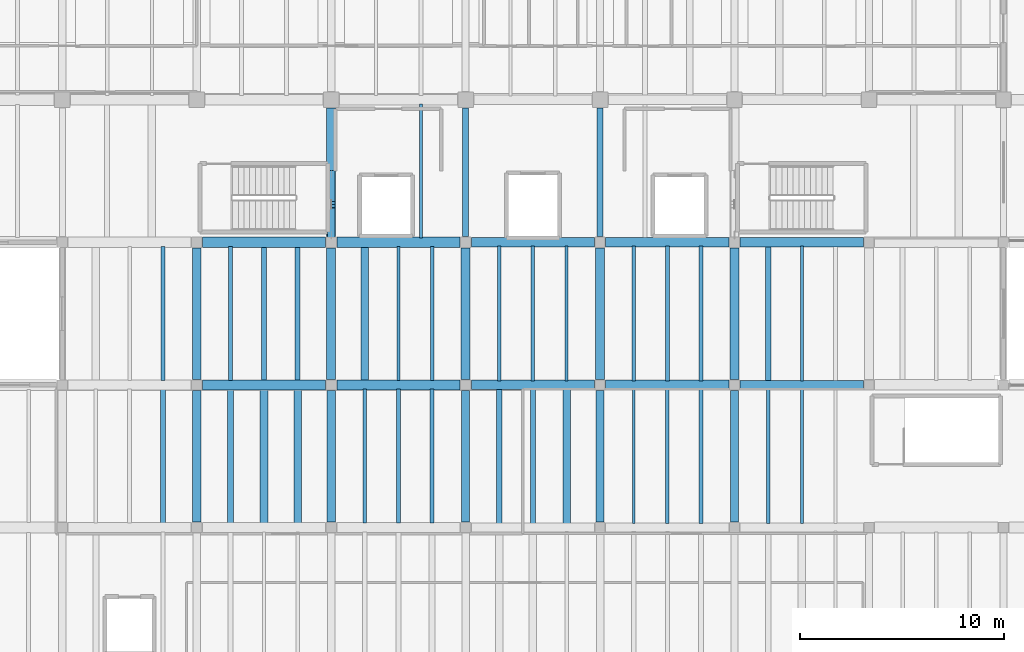
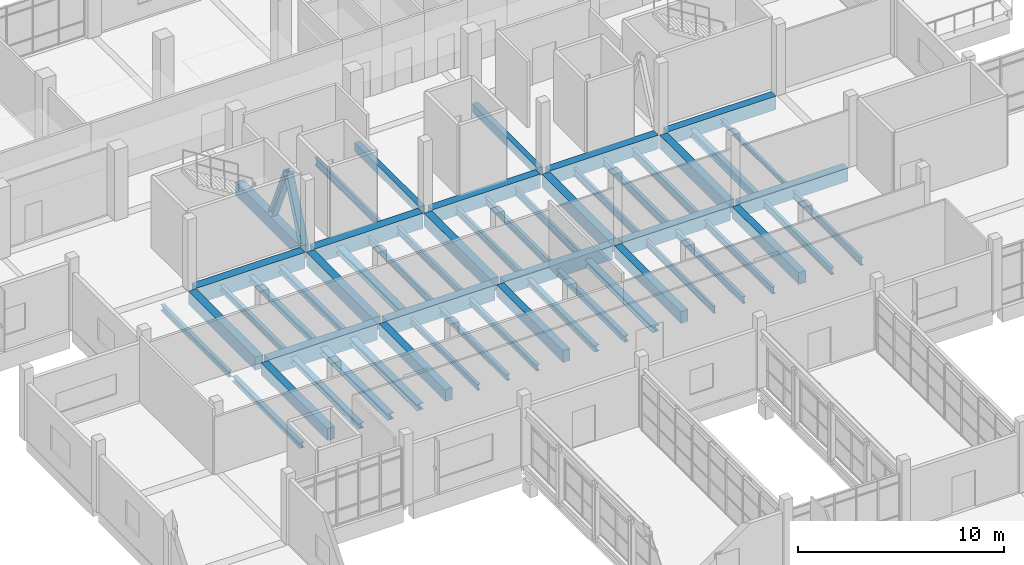
# One storey, part 28 of 65: 54 beams, 2 members.
"""IFC4 building model written with IfcOpenShell, lengths in metres."""

from ifc_helpers import new_model, si_unit, direction, frame, origin, origin_2d, place, context, subcontext, project, spatial, rectangle, i_section, extrude, material, material_profile, profile_set, type_object, element, save


model = new_model("IFC4")

# Units and contexts
model_context = context("Model", 3, precision=1e-05, world=origin(), true_north=direction((0.0, 1.0)))
body_context = subcontext(model_context, "Body", "Model", "MODEL_VIEW")
ifc_project = project(units=[si_unit("LENGTHUNIT", "METRE"), si_unit("AREAUNIT", "SQUARE_METRE"), si_unit("VOLUMEUNIT", "CUBIC_METRE"), si_unit("PLANEANGLEUNIT", "RADIAN"), si_unit("MASSUNIT", "GRAM", prefix="KILO")], contexts=[model_context])

# Site, building, storey
site_placement = place(None, origin())
site = spatial("IfcSite", under=ifc_project, at=site_placement, CompositionType="ELEMENT")
building_placement = place(site_placement, origin())
building = spatial("IfcBuilding", under=site, at=building_placement, Name="Ciguamira Faculty of Natural Sciences", CompositionType="ELEMENT")
storey_placement = place(building_placement, frame((0.0, 0.0, 12.60009765625)))
storey = spatial("IfcBuildingStorey", under=building, at=storey_placement, Name="L03", CompositionType="ELEMENT", Elevation=12.60009765625)

# Beams
ifc_material_1 = material(Name="Concrete C40/50", Category="concrete")
ifc_material_profile_1 = material_profile(ifc_material_1, rectangle(XDim=0.5, YDim=0.949951171875, at=origin_2d()), Name="RC-BM-500X950")
ifc_profile_set_1 = profile_set([ifc_material_profile_1], Name="Concrete C40/50")
beam_type_1 = type_object("IfcBeamType", Name="RCBeam_BG-02_RC-BM-500X950", PredefinedType="BEAM", material=ifc_profile_set_1)
for number, where, z_axis, x_axis, name in (
    (1, (70.77490234375, 87.0, -0.47509765625), (1.0, 0.0, 0.0), (0.0, 1.0, 0.0), "L03 RC girder EW-1140"),
    (2, (70.77490234375, 94.0, -0.47509765625), (1.0, 0.0, 0.0), (0.0, 1.0, 0.0), "L03 RC girder EW-1149"),
):
    element("IfcBeam", number, at=place(storey_placement, frame(where, z_axis=z_axis, x_axis=x_axis)), inside=storey, type_object=beam_type_1, Name=name, PredefinedType="BEAM", context=body_context, shape_type="SweptSolid", body=[
        extrude(rectangle(XDim=0.5, YDim=0.949951171875, at=origin_2d()), origin(), (0.0, 0.0, 1.0), 6.050048828125),
    ])
ifc_material_profile_2 = material_profile(ifc_material_1, rectangle(XDim=0.5, YDim=0.89990234375, at=origin_2d()), Name="RC-BM-500X900")
ifc_profile_set_2 = profile_set([ifc_material_profile_2], Name="Concrete C40/50")
beam_type_2 = type_object("IfcBeamType", Name="RCBeam_BG-03_RC-BM-500X900", PredefinedType="BEAM", material=ifc_profile_set_2)
for number, where, z_axis, x_axis, name in (
    (3, (77.375, 87.0, -0.4501953125), (1.0, 0.0, 0.0), (0.0, 1.0, 0.0), "L03 RC girder EW-1141"),
    (4, (77.375, 94.0, -0.4501953125), (1.0, 0.0, 0.0), (0.0, 1.0, 0.0), "L03 RC girder EW-1150"),
):
    element("IfcBeam", number, at=place(storey_placement, frame(where, z_axis=z_axis, x_axis=x_axis)), inside=storey, type_object=beam_type_2, Name=name, PredefinedType="BEAM", context=body_context, shape_type="SweptSolid", body=[
        extrude(rectangle(XDim=0.5, YDim=0.89990234375, at=origin_2d()), origin(), (0.0, 0.0, 1.0), 6.050048828125),
    ])
ifc_material_profile_3 = material_profile(ifc_material_1, rectangle(XDim=0.4599609375, YDim=0.820068359375, at=origin_2d()), Name="RC-BM-460X820")
ifc_profile_set_3 = profile_set([ifc_material_profile_3], Name="Concrete C40/50")
beam_type_3 = type_object("IfcBeamType", Name="RCBeam_BG-04_RC-BM-460X820", PredefinedType="BEAM", material=ifc_profile_set_3)
beam_1_placement = place(storey_placement, frame((83.97509765625, 87.0, -0.41015625), z_axis=(1.0, 0.0, 0.0), x_axis=(0.0, 1.0, 0.0)))
element("IfcBeam", 5, at=beam_1_placement, inside=storey, type_object=beam_type_3, Name="L03 RC girder EW-1142", PredefinedType="BEAM", context=body_context, shape_type="SweptSolid", body=[
    extrude(rectangle(XDim=0.4599609375, YDim=0.820068359375, at=origin_2d()), origin(), (0.0, 0.0, 1.0), 6.0498046875),
])
beam_2_placement = place(storey_placement, frame((90.574951171875, 87.0, -0.41015625), z_axis=(1.0, 0.0, 0.0), x_axis=(0.0, 1.0, 0.0)))
element("IfcBeam", 6, at=beam_2_placement, inside=storey, type_object=beam_type_3, Name="L03 RC girder EW-1143", PredefinedType="BEAM", context=body_context, shape_type="SweptSolid", body=[
    extrude(rectangle(XDim=0.4599609375, YDim=0.820068359375, at=origin_2d()), origin(), (0.0, 0.0, 1.0), 6.050048828125),
])
beam_3_placement = place(storey_placement, frame((83.97509765625, 94.0, -0.41015625), z_axis=(1.0, 0.0, 0.0), x_axis=(0.0, 1.0, 0.0)))
element("IfcBeam", 7, at=beam_3_placement, inside=storey, type_object=beam_type_3, Name="L03 RC girder EW-1151", PredefinedType="BEAM", context=body_context, shape_type="SweptSolid", body=[
    extrude(rectangle(XDim=0.4599609375, YDim=0.820068359375, at=origin_2d()), origin(), (0.0, 0.0, 1.0), 6.0498046875),
])
beam_4_placement = place(storey_placement, frame((90.574951171875, 94.0, -0.41015625), z_axis=(1.0, 0.0, 0.0), x_axis=(0.0, 1.0, 0.0)))
element("IfcBeam", 8, at=beam_4_placement, inside=storey, type_object=beam_type_3, Name="L03 RC girder EW-1152", PredefinedType="BEAM", context=body_context, shape_type="SweptSolid", body=[
    extrude(rectangle(XDim=0.4599609375, YDim=0.820068359375, at=origin_2d()), origin(), (0.0, 0.0, 1.0), 6.050048828125),
])
ifc_material_profile_4 = material_profile(ifc_material_1, rectangle(XDim=0.449951171875, YDim=0.800048828125, at=origin_2d()), Name="RC-BM-450X800")
ifc_profile_set_4 = profile_set([ifc_material_profile_4], Name="Concrete C40/50")
beam_type_4 = type_object("IfcBeamType", Name="RCBeam_BG-05_RC-BM-450X800", PredefinedType="BEAM", material=ifc_profile_set_4)
for number, where, z_axis, x_axis, name in (
    (9, (97.175048828125, 87.0, -0.400146484375), (1.0, 0.0, 0.0), (0.0, 1.0, 0.0), "L03 RC girder EW-1144"),
    (10, (97.175048828125, 94.0, -0.400146484375), (1.0, 0.0, 0.0), (0.0, 1.0, 0.0), "L03 RC girder EW-1153"),
):
    element("IfcBeam", number, at=place(storey_placement, frame(where, z_axis=z_axis, x_axis=x_axis)), inside=storey, type_object=beam_type_4, Name=name, PredefinedType="BEAM", context=body_context, shape_type="SweptSolid", body=[
        extrude(rectangle(XDim=0.449951171875, YDim=0.800048828125, at=origin_2d()), origin(), (0.0, 0.0, 1.0), 6.050048828125),
    ])
ifc_material_profile_5 = material_profile(ifc_material_1, rectangle(XDim=0.43994140625, YDim=0.780029296875, at=origin_2d()), Name="RC-BM-440X780")
ifc_profile_set_5 = profile_set([ifc_material_profile_5], Name="Concrete C40/50")
beam_type_5 = type_object("IfcBeamType", Name="RCBeam_BG-06_RC-BM-440X780", PredefinedType="BEAM", material=ifc_profile_set_5)
for number, where, z_axis, x_axis, name in (
    (11, (70.5, 87.27490234375, -0.39013671875), (0.0, 1.0, 0.0), (-1.0, 0.0, 0.0), "L03 girder NS-1238"),
    (12, (77.10009765625, 87.27490234375, -0.39013671875), (0.0, 1.0, 0.0), (-1.0, 0.0, 0.0), "L03 girder NS-1248"),
    (13, (83.699951171875, 87.27490234375, -0.39013671875), (0.0, 1.0, 0.0), (-1.0, 0.0, 0.0), "L03 girder NS-1258"),
    (14, (90.300048828125, 87.27490234375, -0.39013671875), (0.0, 1.0, 0.0), (-1.0, 0.0, 0.0), "L03 girder NS-1269"),
    (15, (96.89990234375, 87.27490234375, -0.39013671875), (0.0, 1.0, 0.0), (-1.0, 0.0, 0.0), "L03 girder NS-1280"),
):
    element("IfcBeam", number, at=place(storey_placement, frame(where, z_axis=z_axis, x_axis=x_axis)), inside=storey, type_object=beam_type_5, Name=name, PredefinedType="BEAM", context=body_context, shape_type="SweptSolid", body=[
        extrude(rectangle(XDim=0.43994140625, YDim=0.780029296875, at=origin_2d()), origin(), (0.0, 0.0, 1.0), 6.4501953125),
    ])
beam_5_placement = place(storey_placement, frame((77.10009765625, 94.27490234375, -0.39013671875), z_axis=(0.0, 1.0, 0.0), x_axis=(-1.0, 0.0, 0.0)))
element("IfcBeam", 16, at=beam_5_placement, inside=storey, type_object=beam_type_5, Name="L03 core-end brace tie girder 77", PredefinedType="BEAM", context=body_context, shape_type="SweptSolid", body=[
    extrude(rectangle(XDim=0.43994140625, YDim=0.780029296875, at=origin_2d()), origin(), (0.0, 0.0, 1.0), 6.3251953125),
])
ifc_material_profile_6 = material_profile(ifc_material_1, rectangle(XDim=0.39990234375, YDim=0.699951171875, at=origin_2d()), Name="RC-BM-400X700")
ifc_profile_set_6 = profile_set([ifc_material_profile_6], Name="Concrete C40/50")
beam_type_6 = type_object("IfcBeamType", Name="RCBeam_BG-08_RC-BM-400X700", PredefinedType="BEAM", material=ifc_profile_set_6)
for number, where, z_axis, x_axis, name in (
    (17, (70.5, 80.27490234375, -0.35009765625), (0.0, 1.0, 0.0), (-1.0, 0.0, 0.0), "L03 girder NS-1237"),
    (18, (77.10009765625, 80.27490234375, -0.35009765625), (0.0, 1.0, 0.0), (-1.0, 0.0, 0.0), "L03 girder NS-1247"),
    (19, (83.699951171875, 80.27490234375, -0.35009765625), (0.0, 1.0, 0.0), (-1.0, 0.0, 0.0), "L03 girder NS-1257"),
    (20, (90.300048828125, 80.27490234375, -0.35009765625), (0.0, 1.0, 0.0), (-1.0, 0.0, 0.0), "L03 girder NS-1268"),
    (21, (96.89990234375, 80.27490234375, -0.35009765625), (0.0, 1.0, 0.0), (-1.0, 0.0, 0.0), "L03 girder NS-1279"),
):
    element("IfcBeam", number, at=place(storey_placement, frame(where, z_axis=z_axis, x_axis=x_axis)), inside=storey, type_object=beam_type_6, Name=name, PredefinedType="BEAM", context=body_context, shape_type="SweptSolid", body=[
        extrude(rectangle(XDim=0.39990234375, YDim=0.699951171875, at=origin_2d()), origin(), (0.0, 0.0, 1.0), 6.4501953125),
    ])
ifc_material_profile_7 = material_profile(ifc_material_1, rectangle(XDim=0.300048828125, YDim=0.52001953125, at=origin_2d()), Name="RC-BM-300X520")
ifc_profile_set_7 = profile_set([ifc_material_profile_7], Name="Concrete C40/50")
beam_type_7 = type_object("IfcBeamType", Name="RCBeam_BG-13_RC-BM-300X520", PredefinedType="BEAM", material=ifc_profile_set_7)
for number, where, z_axis, x_axis, name in (
    (22, (83.699951171875, 94.27490234375, -0.260009765625), (0.0, 1.0, 0.0), (-1.0, 0.0, 0.0), "L03 girder NS-1259"),
    (23, (90.300048828125, 94.27490234375, -0.260009765625), (0.0, 1.0, 0.0), (-1.0, 0.0, 0.0), "L03 girder NS-1270"),
):
    element("IfcBeam", number, at=place(storey_placement, frame(where, z_axis=z_axis, x_axis=x_axis)), inside=storey, type_object=beam_type_7, Name=name, PredefinedType="BEAM", context=body_context, shape_type="SweptSolid", body=[
        extrude(rectangle(XDim=0.300048828125, YDim=0.52001953125, at=origin_2d()), origin(), (0.0, 0.0, 1.0), 6.3251953125),
    ])
ifc_material_2 = material(Name="Steel ASTM A992 Grade 50", Category="steel")
ifc_material_profile_8 = material_profile(ifc_material_2, i_section(OverallWidth=0.14599609375, OverallDepth=0.259033203125, WebThickness=0.006103515625, FlangeThickness=0.009033203125, at=origin_2d()), Name="W10X22")
ifc_profile_set_8 = profile_set([ifc_material_profile_8], Name="Steel ASTM A992 Grade 50")
beam_type_8 = type_object("IfcBeamType", Name="SteelJoist_SJ-01_W10X22", PredefinedType="JOIST", material=ifc_profile_set_8)
beam_6_placement = place(storey_placement, frame((100.199951171875, 87.18505859375, -0.40966796875), z_axis=(0.0, 1.0, 0.0), x_axis=(-1.0, 0.0, 0.0)))
element("IfcBeam", 24, at=beam_6_placement, inside=storey, type_object=beam_type_8, Name="L03 composite steel joist 01198", PredefinedType="JOIST", context=body_context, shape_type="SweptSolid", body=[
    extrude(i_section(OverallWidth=0.14599609375, OverallDepth=0.259033203125, WebThickness=0.006103515625, FlangeThickness=0.009033203125, at=origin_2d()), origin(), (0.0, 0.0, 1.0), 6.6298828125),
])
ifc_material_profile_9 = material_profile(ifc_material_2, i_section(OverallWidth=0.25390625, OverallDepth=0.307373046875, WebThickness=0.0087890625, FlangeThickness=0.0146484375, at=origin_2d()), Name="W12X53")
ifc_profile_set_9 = profile_set([ifc_material_profile_9], Name="Steel ASTM A992 Grade 50")
beam_type_9 = type_object("IfcBeamType", Name="SteelJoist_SJ-07_W12X53", PredefinedType="JOIST", material=ifc_profile_set_9)
beam_7_placement = place(storey_placement, frame((68.85009765625, 80.2099609375, -0.433837890625), z_axis=(0.0, 1.0, 0.0), x_axis=(-1.0, 0.0, 0.0)))
element("IfcBeam", 25, at=beam_7_placement, inside=storey, type_object=beam_type_9, Name="L03 composite steel joist 01067", PredefinedType="JOIST", context=body_context, shape_type="SweptSolid", body=[
    extrude(i_section(OverallWidth=0.25390625, OverallDepth=0.307373046875, WebThickness=0.0087890625, FlangeThickness=0.0146484375, at=origin_2d()), origin(), (0.0, 0.0, 1.0), 6.580078125),
])
ifc_material_profile_10 = material_profile(ifc_material_2, i_section(OverallWidth=0.3046875, OverallDepth=0.307373046875, WebThickness=0.010009765625, FlangeThickness=0.015380859375, at=origin_2d()), Name="W12X65")
ifc_profile_set_10 = profile_set([ifc_material_profile_10], Name="Steel ASTM A992 Grade 50")
beam_type_10 = type_object("IfcBeamType", Name="SteelJoist_SJ-08_W12X65", PredefinedType="JOIST", material=ifc_profile_set_10)
beam_8_placement = place(storey_placement, frame((72.14990234375, 80.2099609375, -0.433837890625), z_axis=(0.0, 1.0, 0.0), x_axis=(-1.0, 0.0, 0.0)))
element("IfcBeam", 26, at=beam_8_placement, inside=storey, type_object=beam_type_10, Name="L03 composite steel joist 01092", PredefinedType="JOIST", context=body_context, shape_type="SweptSolid", body=[
    extrude(i_section(OverallWidth=0.3046875, OverallDepth=0.307373046875, WebThickness=0.010009765625, FlangeThickness=0.015380859375, at=origin_2d()), origin(), (0.0, 0.0, 1.0), 6.580078125),
])
ifc_material_profile_11 = material_profile(ifc_material_2, i_section(OverallWidth=0.370849609375, OverallDepth=0.36328125, WebThickness=0.013427734375, FlangeThickness=0.021728515625, at=origin_2d()), Name="W14X109")
ifc_profile_set_11 = profile_set([ifc_material_profile_11], Name="Steel ASTM A992 Grade 50")
beam_type_11 = type_object("IfcBeamType", Name="SteelJoist_SJ-09_W14X109", PredefinedType="JOIST", material=ifc_profile_set_11)
beam_9_placement = place(storey_placement, frame((73.800048828125, 80.2099609375, -0.461669921875), z_axis=(0.0, 1.0, 0.0), x_axis=(-1.0, 0.0, 0.0)))
element("IfcBeam", 27, at=beam_9_placement, inside=storey, type_object=beam_type_11, Name="L03 composite steel joist 01093", PredefinedType="JOIST", context=body_context, shape_type="SweptSolid", body=[
    extrude(i_section(OverallWidth=0.370849609375, OverallDepth=0.36328125, WebThickness=0.013427734375, FlangeThickness=0.021728515625, at=origin_2d()), origin(), (0.0, 0.0, 1.0), 6.580078125),
])
ifc_material_profile_12 = material_profile(ifc_material_2, i_section(OverallWidth=0.373291015625, OverallDepth=0.373291015625, WebThickness=0.016357421875, FlangeThickness=0.026123046875, at=origin_2d()), Name="W14X132")
ifc_profile_set_12 = profile_set([ifc_material_profile_12], Name="Steel ASTM A992 Grade 50")
beam_type_12 = type_object("IfcBeamType", Name="SteelJoist_SJ-10_W14X132", PredefinedType="JOIST", material=ifc_profile_set_12)
beam_10_placement = place(storey_placement, frame((75.449951171875, 80.2099609375, -0.466796875), z_axis=(0.0, 1.0, 0.0), x_axis=(-1.0, 0.0, 0.0)))
element("IfcBeam", 28, at=beam_10_placement, inside=storey, type_object=beam_type_12, Name="L03 composite steel joist 01094", PredefinedType="JOIST", context=body_context, shape_type="SweptSolid", body=[
    extrude(i_section(OverallWidth=0.373291015625, OverallDepth=0.373291015625, WebThickness=0.016357421875, FlangeThickness=0.026123046875, at=origin_2d()), origin(), (0.0, 0.0, 1.0), 6.580078125),
])
ifc_material_profile_13 = material_profile(ifc_material_2, i_section(OverallWidth=0.1708984375, OverallDepth=0.3505859375, WebThickness=0.0068359375, FlangeThickness=0.009765625, at=origin_2d()), Name="W14X30")
ifc_profile_set_13 = profile_set([ifc_material_profile_13], Name="Steel ASTM A992 Grade 50")
beam_type_13 = type_object("IfcBeamType", Name="SteelJoist_SJ-11_W14X30", PredefinedType="JOIST", material=ifc_profile_set_13)
beam_11_placement = place(storey_placement, frame((78.75, 80.2099609375, -0.455322265625), z_axis=(0.0, 1.0, 0.0), x_axis=(-1.0, 0.0, 0.0)))
element("IfcBeam", 29, at=beam_11_placement, inside=storey, type_object=beam_type_13, Name="L03 composite steel joist 01117", PredefinedType="JOIST", context=body_context, shape_type="SweptSolid", body=[
    extrude(i_section(OverallWidth=0.1708984375, OverallDepth=0.3505859375, WebThickness=0.0068359375, FlangeThickness=0.009765625, at=origin_2d()), origin(), (0.0, 0.0, 1.0), 6.580078125),
])
ifc_material_profile_14 = material_profile(ifc_material_2, i_section(OverallWidth=0.203125, OverallDepth=0.347900390625, WebThickness=0.0078125, FlangeThickness=0.013427734375, at=origin_2d()), Name="W14X43")
ifc_profile_set_14 = profile_set([ifc_material_profile_14], Name="Steel ASTM A992 Grade 50")
beam_type_14 = type_object("IfcBeamType", Name="SteelJoist_SJ-12_W14X43", PredefinedType="JOIST", material=ifc_profile_set_14)
for number, where, z_axis, x_axis, name in (
    (30, (68.85009765625, 87.2099609375, -0.4541015625), (0.0, 1.0, 0.0), (-1.0, 0.0, 0.0), "L03 composite steel joist 01070"),
    (31, (80.39990234375, 80.2099609375, -0.4541015625), (0.0, 1.0, 0.0), (-1.0, 0.0, 0.0), "L03 composite steel joist 01118"),
):
    element("IfcBeam", number, at=place(storey_placement, frame(where, z_axis=z_axis, x_axis=x_axis)), inside=storey, type_object=beam_type_14, Name=name, PredefinedType="JOIST", context=body_context, shape_type="SweptSolid", body=[
        extrude(i_section(OverallWidth=0.203125, OverallDepth=0.347900390625, WebThickness=0.0078125, FlangeThickness=0.013427734375, at=origin_2d()), origin(), (0.0, 0.0, 1.0), 6.580078125),
    ])
ifc_material_profile_15 = material_profile(ifc_material_2, i_section(OverallWidth=0.204833984375, OverallDepth=0.35302734375, WebThickness=0.00927734375, FlangeThickness=0.016845703125, at=origin_2d()), Name="W14X53")
ifc_profile_set_15 = profile_set([ifc_material_profile_15], Name="Steel ASTM A992 Grade 50")
beam_type_15 = type_object("IfcBeamType", Name="SteelJoist_SJ-13_W14X53", PredefinedType="JOIST", material=ifc_profile_set_15)
for number, where, z_axis, x_axis, name in (
    (32, (72.14990234375, 87.2099609375, -0.45654296875), (0.0, 1.0, 0.0), (-1.0, 0.0, 0.0), "L03 composite steel joist 01095"),
    (33, (82.050048828125, 80.2099609375, -0.45654296875), (0.0, 1.0, 0.0), (-1.0, 0.0, 0.0), "L03 composite steel joist 01119"),
):
    element("IfcBeam", number, at=place(storey_placement, frame(where, z_axis=z_axis, x_axis=x_axis)), inside=storey, type_object=beam_type_15, Name=name, PredefinedType="JOIST", context=body_context, shape_type="SweptSolid", body=[
        extrude(i_section(OverallWidth=0.204833984375, OverallDepth=0.35302734375, WebThickness=0.00927734375, FlangeThickness=0.016845703125, at=origin_2d()), origin(), (0.0, 0.0, 1.0), 6.580078125),
    ])
ifc_material_profile_16 = material_profile(ifc_material_2, i_section(OverallWidth=0.25390625, OverallDepth=0.355712890625, WebThickness=0.010498046875, FlangeThickness=0.018310546875, at=origin_2d()), Name="W14X68")
ifc_profile_set_16 = profile_set([ifc_material_profile_16], Name="Steel ASTM A992 Grade 50")
beam_type_16 = type_object("IfcBeamType", Name="SteelJoist_SJ-14_W14X68", PredefinedType="JOIST", material=ifc_profile_set_16)
beam_12_placement = place(storey_placement, frame((73.800048828125, 87.2099609375, -0.4580078125), z_axis=(0.0, 1.0, 0.0), x_axis=(-1.0, 0.0, 0.0)))
element("IfcBeam", 34, at=beam_12_placement, inside=storey, type_object=beam_type_16, Name="L03 composite steel joist 01096", PredefinedType="JOIST", context=body_context, shape_type="SweptSolid", body=[
    extrude(i_section(OverallWidth=0.25390625, OverallDepth=0.355712890625, WebThickness=0.010498046875, FlangeThickness=0.018310546875, at=origin_2d()), origin(), (0.0, 0.0, 1.0), 6.580078125),
])
beam_13_placement = place(storey_placement, frame((85.35009765625, 80.18994140625, -0.4580078125), z_axis=(0.0, 1.0, 0.0), x_axis=(-1.0, 0.0, 0.0)))
element("IfcBeam", 35, at=beam_13_placement, inside=storey, type_object=beam_type_16, Name="L03 composite steel joist 01143", PredefinedType="JOIST", context=body_context, shape_type="SweptSolid", body=[
    extrude(i_section(OverallWidth=0.25390625, OverallDepth=0.355712890625, WebThickness=0.010498046875, FlangeThickness=0.018310546875, at=origin_2d()), origin(), (0.0, 0.0, 1.0), 6.6201171875),
])
ifc_material_profile_17 = material_profile(ifc_material_2, i_section(OverallWidth=0.256591796875, OverallDepth=0.36328125, WebThickness=0.012939453125, FlangeThickness=0.021728515625, at=origin_2d()), Name="W14X82")
ifc_profile_set_17 = profile_set([ifc_material_profile_17], Name="Steel ASTM A992 Grade 50")
beam_type_17 = type_object("IfcBeamType", Name="SteelJoist_SJ-15_W14X82", PredefinedType="JOIST", material=ifc_profile_set_17)
beam_14_placement = place(storey_placement, frame((75.449951171875, 87.2099609375, -0.461669921875), z_axis=(0.0, 1.0, 0.0), x_axis=(-1.0, 0.0, 0.0)))
element("IfcBeam", 36, at=beam_14_placement, inside=storey, type_object=beam_type_17, Name="L03 composite steel joist 01097", PredefinedType="JOIST", context=body_context, shape_type="SweptSolid", body=[
    extrude(i_section(OverallWidth=0.256591796875, OverallDepth=0.36328125, WebThickness=0.012939453125, FlangeThickness=0.021728515625, at=origin_2d()), origin(), (0.0, 0.0, 1.0), 6.580078125),
])
beam_15_placement = place(storey_placement, frame((87.0, 80.18994140625, -0.461669921875), z_axis=(0.0, 1.0, 0.0), x_axis=(-1.0, 0.0, 0.0)))
element("IfcBeam", 37, at=beam_15_placement, inside=storey, type_object=beam_type_17, Name="L03 composite steel joist 01144", PredefinedType="JOIST", context=body_context, shape_type="SweptSolid", body=[
    extrude(i_section(OverallWidth=0.256591796875, OverallDepth=0.36328125, WebThickness=0.012939453125, FlangeThickness=0.021728515625, at=origin_2d()), origin(), (0.0, 0.0, 1.0), 6.6201171875),
])
ifc_material_profile_18 = material_profile(ifc_material_2, i_section(OverallWidth=0.368408203125, OverallDepth=0.355712890625, WebThickness=0.01123046875, FlangeThickness=0.01806640625, at=origin_2d()), Name="W14X90")
ifc_profile_set_18 = profile_set([ifc_material_profile_18], Name="Steel ASTM A992 Grade 50")
beam_type_18 = type_object("IfcBeamType", Name="SteelJoist_SJ-16_W14X90", PredefinedType="JOIST", material=ifc_profile_set_18)
beam_16_placement = place(storey_placement, frame((78.75, 87.2099609375, -0.4580078125), z_axis=(0.0, 1.0, 0.0), x_axis=(-1.0, 0.0, 0.0)))
element("IfcBeam", 38, at=beam_16_placement, inside=storey, type_object=beam_type_18, Name="L03 composite steel joist 01120", PredefinedType="JOIST", context=body_context, shape_type="SweptSolid", body=[
    extrude(i_section(OverallWidth=0.368408203125, OverallDepth=0.355712890625, WebThickness=0.01123046875, FlangeThickness=0.01806640625, at=origin_2d()), origin(), (0.0, 0.0, 1.0), 6.580078125),
])
beam_17_placement = place(storey_placement, frame((88.64990234375, 80.18994140625, -0.4580078125), z_axis=(0.0, 1.0, 0.0), x_axis=(-1.0, 0.0, 0.0)))
element("IfcBeam", 39, at=beam_17_placement, inside=storey, type_object=beam_type_18, Name="L03 composite steel joist 01145", PredefinedType="JOIST", context=body_context, shape_type="SweptSolid", body=[
    extrude(i_section(OverallWidth=0.368408203125, OverallDepth=0.355712890625, WebThickness=0.01123046875, FlangeThickness=0.01806640625, at=origin_2d()), origin(), (0.0, 0.0, 1.0), 6.6201171875),
])
ifc_material_profile_19 = material_profile(ifc_material_2, i_section(OverallWidth=0.140380859375, OverallDepth=0.40380859375, WebThickness=0.007080078125, FlangeThickness=0.01123046875, at=origin_2d()), Name="W16X31")
ifc_profile_set_19 = profile_set([ifc_material_profile_19], Name="Steel ASTM A992 Grade 50")
beam_type_19 = type_object("IfcBeamType", Name="SteelJoist_SJ-17_W16X31", PredefinedType="JOIST", material=ifc_profile_set_19)
beam_18_placement = place(storey_placement, frame((80.39990234375, 87.2099609375, -0.48193359375), z_axis=(0.0, 1.0, 0.0), x_axis=(-1.0, 0.0, 0.0)))
element("IfcBeam", 40, at=beam_18_placement, inside=storey, type_object=beam_type_19, Name="L03 composite steel joist 01121", PredefinedType="JOIST", context=body_context, shape_type="SweptSolid", body=[
    extrude(i_section(OverallWidth=0.140380859375, OverallDepth=0.40380859375, WebThickness=0.007080078125, FlangeThickness=0.01123046875, at=origin_2d()), origin(), (0.0, 0.0, 1.0), 6.580078125),
])
beam_19_placement = place(storey_placement, frame((91.949951171875, 80.18994140625, -0.48193359375), z_axis=(0.0, 1.0, 0.0), x_axis=(-1.0, 0.0, 0.0)))
element("IfcBeam", 41, at=beam_19_placement, inside=storey, type_object=beam_type_19, Name="L03 composite steel joist 01168", PredefinedType="JOIST", context=body_context, shape_type="SweptSolid", body=[
    extrude(i_section(OverallWidth=0.140380859375, OverallDepth=0.40380859375, WebThickness=0.007080078125, FlangeThickness=0.01123046875, at=origin_2d()), origin(), (0.0, 0.0, 1.0), 6.6201171875),
])
ifc_material_profile_20 = material_profile(ifc_material_2, i_section(OverallWidth=0.177490234375, OverallDepth=0.40380859375, WebThickness=0.007568359375, FlangeThickness=0.010986328125, at=origin_2d()), Name="W16X36")
ifc_profile_set_20 = profile_set([ifc_material_profile_20], Name="Steel ASTM A992 Grade 50")
beam_type_20 = type_object("IfcBeamType", Name="SteelJoist_SJ-18_W16X36", PredefinedType="JOIST", material=ifc_profile_set_20)
beam_20_placement = place(storey_placement, frame((82.050048828125, 87.2099609375, -0.48193359375), z_axis=(0.0, 1.0, 0.0), x_axis=(-1.0, 0.0, 0.0)))
element("IfcBeam", 42, at=beam_20_placement, inside=storey, type_object=beam_type_20, Name="L03 composite steel joist 01122", PredefinedType="JOIST", context=body_context, shape_type="SweptSolid", body=[
    extrude(i_section(OverallWidth=0.177490234375, OverallDepth=0.40380859375, WebThickness=0.007568359375, FlangeThickness=0.010986328125, at=origin_2d()), origin(), (0.0, 0.0, 1.0), 6.580078125),
])
beam_21_placement = place(storey_placement, frame((93.60009765625, 80.18994140625, -0.48193359375), z_axis=(0.0, 1.0, 0.0), x_axis=(-1.0, 0.0, 0.0)))
element("IfcBeam", 43, at=beam_21_placement, inside=storey, type_object=beam_type_20, Name="L03 composite steel joist 01169", PredefinedType="JOIST", context=body_context, shape_type="SweptSolid", body=[
    extrude(i_section(OverallWidth=0.177490234375, OverallDepth=0.40380859375, WebThickness=0.007568359375, FlangeThickness=0.010986328125, at=origin_2d()), origin(), (0.0, 0.0, 1.0), 6.6201171875),
])
ifc_material_profile_21 = material_profile(ifc_material_2, i_section(OverallWidth=0.1787109375, OverallDepth=0.408935546875, WebThickness=0.0087890625, FlangeThickness=0.014404296875, at=origin_2d()), Name="W16X45")
ifc_profile_set_21 = profile_set([ifc_material_profile_21], Name="Steel ASTM A992 Grade 50")
beam_type_21 = type_object("IfcBeamType", Name="SteelJoist_SJ-19_W16X45", PredefinedType="JOIST", material=ifc_profile_set_21)
for number, where, z_axis, x_axis, name in (
    (44, (85.35009765625, 87.18994140625, -0.484619140625), (0.0, 1.0, 0.0), (-1.0, 0.0, 0.0), "L03 composite steel joist 01146"),
    (45, (95.25, 80.18994140625, -0.484619140625), (0.0, 1.0, 0.0), (-1.0, 0.0, 0.0), "L03 composite steel joist 01170"),
):
    element("IfcBeam", number, at=place(storey_placement, frame(where, z_axis=z_axis, x_axis=x_axis)), inside=storey, type_object=beam_type_21, Name=name, PredefinedType="JOIST", context=body_context, shape_type="SweptSolid", body=[
        extrude(i_section(OverallWidth=0.1787109375, OverallDepth=0.408935546875, WebThickness=0.0087890625, FlangeThickness=0.014404296875, at=origin_2d()), origin(), (0.0, 0.0, 1.0), 6.6201171875),
    ])
ifc_material_profile_22 = material_profile(ifc_material_2, i_section(OverallWidth=0.180908203125, OverallDepth=0.41650390625, WebThickness=0.010986328125, FlangeThickness=0.01806640625, at=origin_2d()), Name="W16X57")
ifc_profile_set_22 = profile_set([ifc_material_profile_22], Name="Steel ASTM A992 Grade 50")
beam_type_22 = type_object("IfcBeamType", Name="SteelJoist_SJ-20_W16X57", PredefinedType="JOIST", material=ifc_profile_set_22)
beam_22_placement = place(storey_placement, frame((87.0, 87.18994140625, -0.48828125), z_axis=(0.0, 1.0, 0.0), x_axis=(-1.0, 0.0, 0.0)))
element("IfcBeam", 46, at=beam_22_placement, inside=storey, type_object=beam_type_22, Name="L03 composite steel joist 01147", PredefinedType="JOIST", context=body_context, shape_type="SweptSolid", body=[
    extrude(i_section(OverallWidth=0.180908203125, OverallDepth=0.41650390625, WebThickness=0.010986328125, FlangeThickness=0.01806640625, at=origin_2d()), origin(), (0.0, 0.0, 1.0), 6.6201171875),
])
beam_23_placement = place(storey_placement, frame((98.550048828125, 80.18505859375, -0.48828125), z_axis=(0.0, 1.0, 0.0), x_axis=(-1.0, 0.0, 0.0)))
element("IfcBeam", 47, at=beam_23_placement, inside=storey, type_object=beam_type_22, Name="L03 composite steel joist 01194", PredefinedType="JOIST", context=body_context, shape_type="SweptSolid", body=[
    extrude(i_section(OverallWidth=0.180908203125, OverallDepth=0.41650390625, WebThickness=0.010986328125, FlangeThickness=0.01806640625, at=origin_2d()), origin(), (0.0, 0.0, 1.0), 6.6298828125),
])
ifc_material_profile_23 = material_profile(ifc_material_2, i_section(OverallWidth=0.15234375, OverallDepth=0.449462890625, WebThickness=0.007568359375, FlangeThickness=0.0107421875, at=origin_2d()), Name="W18X35")
ifc_profile_set_23 = profile_set([ifc_material_profile_23], Name="Steel ASTM A992 Grade 50")
beam_type_23 = type_object("IfcBeamType", Name="SteelJoist_SJ-21_W18X35", PredefinedType="JOIST", material=ifc_profile_set_23)
beam_24_placement = place(storey_placement, frame((88.64990234375, 87.18994140625, -0.5048828125), z_axis=(0.0, 1.0, 0.0), x_axis=(-1.0, 0.0, 0.0)))
element("IfcBeam", 48, at=beam_24_placement, inside=storey, type_object=beam_type_23, Name="L03 composite steel joist 01148", PredefinedType="JOIST", context=body_context, shape_type="SweptSolid", body=[
    extrude(i_section(OverallWidth=0.15234375, OverallDepth=0.449462890625, WebThickness=0.007568359375, FlangeThickness=0.0107421875, at=origin_2d()), origin(), (0.0, 0.0, 1.0), 6.6201171875),
])
beam_25_placement = place(storey_placement, frame((100.199951171875, 80.18505859375, -0.5048828125), z_axis=(0.0, 1.0, 0.0), x_axis=(-1.0, 0.0, 0.0)))
element("IfcBeam", 49, at=beam_25_placement, inside=storey, type_object=beam_type_23, Name="L03 composite steel joist 01195", PredefinedType="JOIST", context=body_context, shape_type="SweptSolid", body=[
    extrude(i_section(OverallWidth=0.15234375, OverallDepth=0.449462890625, WebThickness=0.007568359375, FlangeThickness=0.0107421875, at=origin_2d()), origin(), (0.0, 0.0, 1.0), 6.6298828125),
])
ifc_material_profile_24 = material_profile(ifc_material_2, i_section(OverallWidth=0.15283203125, OverallDepth=0.45458984375, WebThickness=0.008056640625, FlangeThickness=0.013427734375, at=origin_2d()), Name="W18X40")
ifc_profile_set_24 = profile_set([ifc_material_profile_24], Name="Steel ASTM A992 Grade 50")
beam_type_24 = type_object("IfcBeamType", Name="SteelJoist_SJ-22_W18X40", PredefinedType="JOIST", material=ifc_profile_set_24)
beam_26_placement = place(storey_placement, frame((81.5, 94.2099609375, -0.46728515625), z_axis=(0.0, 1.0, 0.0), x_axis=(-1.0, 0.0, 0.0)))
element("IfcBeam", 50, at=beam_26_placement, inside=storey, type_object=beam_type_24, Name="L03 composite steel joist 01123", PredefinedType="JOIST", context=body_context, shape_type="SweptSolid", body=[
    extrude(i_section(OverallWidth=0.15283203125, OverallDepth=0.45458984375, WebThickness=0.008056640625, FlangeThickness=0.013427734375, at=origin_2d()), origin(), (0.0, 0.0, 1.0), 6.580078125),
])
beam_27_placement = place(storey_placement, frame((91.949951171875, 87.18994140625, -0.50732421875), z_axis=(0.0, 1.0, 0.0), x_axis=(-1.0, 0.0, 0.0)))
element("IfcBeam", 51, at=beam_27_placement, inside=storey, type_object=beam_type_24, Name="L03 composite steel joist 01171", PredefinedType="JOIST", context=body_context, shape_type="SweptSolid", body=[
    extrude(i_section(OverallWidth=0.15283203125, OverallDepth=0.45458984375, WebThickness=0.008056640625, FlangeThickness=0.013427734375, at=origin_2d()), origin(), (0.0, 0.0, 1.0), 6.6201171875),
])
ifc_material_profile_25 = material_profile(ifc_material_2, i_section(OverallWidth=0.1904296875, OverallDepth=0.457275390625, WebThickness=0.009033203125, FlangeThickness=0.014404296875, at=origin_2d()), Name="W18X50")
ifc_profile_set_25 = profile_set([ifc_material_profile_25], Name="Steel ASTM A992 Grade 50")
beam_type_25 = type_object("IfcBeamType", Name="SteelJoist_SJ-23_W18X50", PredefinedType="JOIST", material=ifc_profile_set_25)
beam_28_placement = place(storey_placement, frame((93.60009765625, 87.18994140625, -0.5087890625), z_axis=(0.0, 1.0, 0.0), x_axis=(-1.0, 0.0, 0.0)))
element("IfcBeam", 52, at=beam_28_placement, inside=storey, type_object=beam_type_25, Name="L03 composite steel joist 01172", PredefinedType="JOIST", context=body_context, shape_type="SweptSolid", body=[
    extrude(i_section(OverallWidth=0.1904296875, OverallDepth=0.457275390625, WebThickness=0.009033203125, FlangeThickness=0.014404296875, at=origin_2d()), origin(), (0.0, 0.0, 1.0), 6.6201171875),
])
ifc_material_profile_26 = material_profile(ifc_material_2, i_section(OverallWidth=0.19287109375, OverallDepth=0.46728515625, WebThickness=0.011474609375, FlangeThickness=0.01904296875, at=origin_2d()), Name="W18X65")
ifc_profile_set_26 = profile_set([ifc_material_profile_26], Name="Steel ASTM A992 Grade 50")
beam_type_26 = type_object("IfcBeamType", Name="SteelJoist_SJ-24_W18X65", PredefinedType="JOIST", material=ifc_profile_set_26)
beam_29_placement = place(storey_placement, frame((95.25, 87.18994140625, -0.513916015625), z_axis=(0.0, 1.0, 0.0), x_axis=(-1.0, 0.0, 0.0)))
element("IfcBeam", 53, at=beam_29_placement, inside=storey, type_object=beam_type_26, Name="L03 composite steel joist 01173", PredefinedType="JOIST", context=body_context, shape_type="SweptSolid", body=[
    extrude(i_section(OverallWidth=0.19287109375, OverallDepth=0.46728515625, WebThickness=0.011474609375, FlangeThickness=0.01904296875, at=origin_2d()), origin(), (0.0, 0.0, 1.0), 6.6201171875),
])
ifc_material_profile_27 = material_profile(ifc_material_2, i_section(OverallWidth=0.279296875, OverallDepth=0.462158203125, WebThickness=0.0107421875, FlangeThickness=0.017333984375, at=origin_2d()), Name="W18X76")
ifc_profile_set_27 = profile_set([ifc_material_profile_27], Name="Steel ASTM A992 Grade 50")
beam_type_27 = type_object("IfcBeamType", Name="SteelJoist_SJ-25_W18X76", PredefinedType="JOIST", material=ifc_profile_set_27)
beam_30_placement = place(storey_placement, frame((98.550048828125, 87.18505859375, -0.51123046875), z_axis=(0.0, 1.0, 0.0), x_axis=(-1.0, 0.0, 0.0)))
element("IfcBeam", 54, at=beam_30_placement, inside=storey, type_object=beam_type_27, Name="L03 composite steel joist 01197", PredefinedType="JOIST", context=body_context, shape_type="SweptSolid", body=[
    extrude(i_section(OverallWidth=0.279296875, OverallDepth=0.462158203125, WebThickness=0.0107421875, FlangeThickness=0.017333984375, at=origin_2d()), origin(), (0.0, 0.0, 1.0), 6.6298828125),
])

# Members
ifc_material_profile_28 = material_profile(ifc_material_2, i_section(OverallWidth=0.368408203125, OverallDepth=0.355712890625, WebThickness=0.01123046875, FlangeThickness=0.01806640625, at=origin_2d()), Name="W14X90")
ifc_profile_set_28 = profile_set([ifc_material_profile_28], Name="Steel ASTM A992 Grade 50")
member_type = type_object("IfcMemberType", Name="SteelMember_BR-01_W14X90", PredefinedType="BRACE", material=ifc_profile_set_28)
for number, where, z_axis, x_axis, name in (
    (55, (77.10009765625, 94.35009765625, 0.0), (0.0, 0.401669190317, 0.915784833653), (-1.0, 0.0, 0.0), "L03 lateral chevron brace 017"),
    (56, (77.10009765625, 97.35009765625, 0.0), (0.0, -0.401669190317, 0.915784833653), (1.0, 0.0, 0.0), "L03 lateral chevron brace 018"),
):
    element("IfcMember", number, at=place(storey_placement, frame(where, z_axis=z_axis, x_axis=x_axis)), inside=storey, type_object=member_type, Name=name, PredefinedType="BRACE", context=body_context, shape_type="SweptSolid", body=[
        extrude(i_section(OverallWidth=0.368408203125, OverallDepth=0.355712890625, WebThickness=0.01123046875, FlangeThickness=0.01806640625, at=origin_2d()), origin(), (0.0, 0.0, 1.0), 3.734375),
    ])

save(model, "model.ifc")
